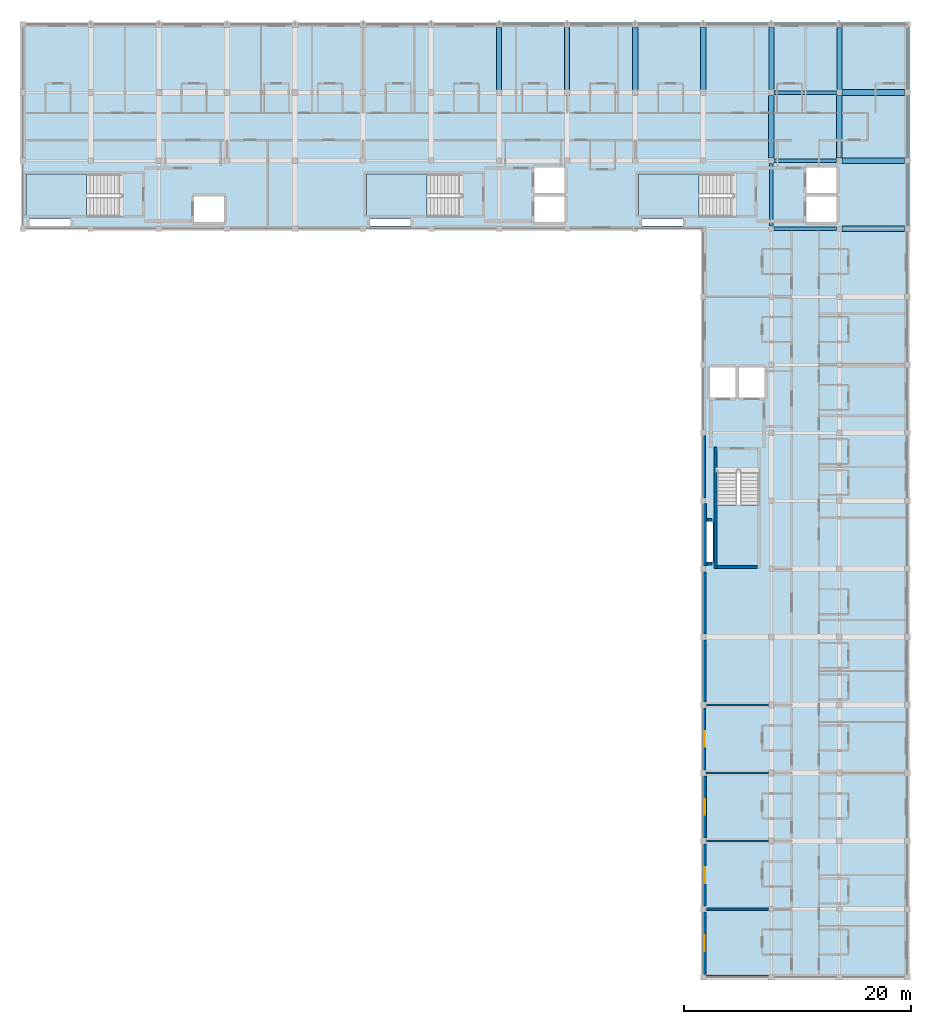
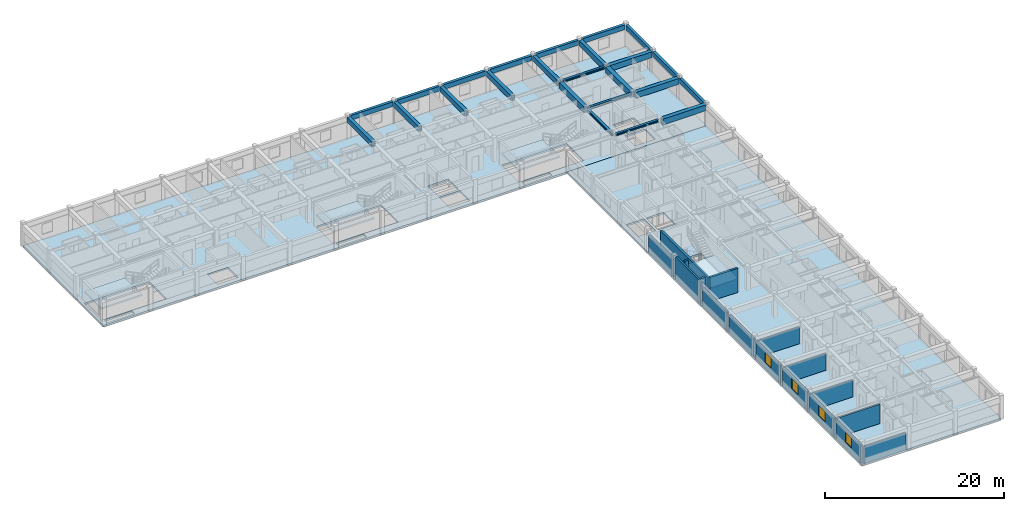
# One storey, part 2 of 15: 24 beams, 17 walls, 6 slabs, 4 windows, 4 openings, 4 elements without a shape of their own.
"""IFC4 building model written with IfcOpenShell, lengths in metres."""

from ifc_helpers import new_model, si_unit, direction, frame, frame_2d, origin, origin_2d, place, context, subcontext, project, spatial, polyline, rectangle, i_section, outline, extrude, material, layer, layer_set, material_profile, profile_set, type_object, element, fill, aggregate, save


model = new_model("IFC4")

# Units and contexts
model_context = context("Model", 3, precision=1e-05, world=origin(), true_north=direction((0.0, 1.0)))
body_context = subcontext(model_context, "Body", "Model", "MODEL_VIEW")
ifc_project = project(units=[si_unit("LENGTHUNIT", "METRE"), si_unit("AREAUNIT", "SQUARE_METRE"), si_unit("VOLUMEUNIT", "CUBIC_METRE"), si_unit("PLANEANGLEUNIT", "RADIAN"), si_unit("MASSUNIT", "GRAM", prefix="KILO"), si_unit("THERMODYNAMICTEMPERATUREUNIT", "KELVIN"), si_unit("POWERUNIT", "WATT")], contexts=[model_context])

# Site, building, storey
site_placement = place(None, origin())
site = spatial("IfcSite", under=ifc_project, at=site_placement, CompositionType="ELEMENT")
building_placement = place(site_placement, origin())
building = spatial("IfcBuilding", under=site, at=building_placement, Name="Phaisarnlok Congress Hotel", CompositionType="ELEMENT")
storey_placement = place(building_placement, frame((0.0, 0.0, 41.39990234375)))
storey = spatial("IfcBuildingStorey", under=building, at=storey_placement, Name="L10", CompositionType="ELEMENT", Elevation=41.39990234375)

# Beams
ifc_material_1 = material(Name="Concrete C40/50", Category="concrete")
ifc_material_profile_1 = material_profile(ifc_material_1, rectangle(XDim=0.449951171875, YDim=0.699951171875, at=origin_2d()), Name="RC 450x700")
ifc_profile_set_1 = profile_set([ifc_material_profile_1], Name="Concrete C40/50")
beam_type_1 = type_object("IfcBeamType", Name="BM-RC-450x700", PredefinedType="BEAM", material=ifc_profile_set_1)
for number, where, z_axis, x_axis, name in (
    (1, (144.0, 120.2451171875, 2.710205078125), (0.0, 1.0, 0.0), (-1.0, 0.0, 0.0), "Beam B-03"),
    (2, (150.0, 120.2451171875, 2.710205078125), (0.0, 1.0, 0.0), (-1.0, 0.0, 0.0), "Beam B-03"),
    (3, (156.0, 120.2451171875, 2.710205078125), (0.0, 1.0, 0.0), (-1.0, 0.0, 0.0), "Beam B-03"),
    (4, (162.0, 120.2451171875, 2.710205078125), (0.0, 1.0, 0.0), (-1.0, 0.0, 0.0), "Beam B-03"),
    (5, (168.0, 120.2451171875, 2.710205078125), (0.0, 1.0, 0.0), (-1.0, 0.0, 0.0), "Beam B-03"),
    (6, (174.0, 120.2451171875, 2.710205078125), (0.0, 1.0, 0.0), (-1.0, 0.0, 0.0), "Beam B-03"),
):
    element("IfcBeam", number, at=place(storey_placement, frame(where, z_axis=z_axis, x_axis=x_axis)), inside=storey, type_object=beam_type_1, Name=name, PredefinedType="BEAM", context=body_context, shape_type="SweptSolid", body=[
        extrude(rectangle(XDim=0.449951171875, YDim=0.699951171875, at=origin_2d()), origin(), (0.0, 0.0, 1.0), 5.509765625),
    ])
ifc_material_profile_2 = material_profile(ifc_material_1, rectangle(XDim=0.5, YDim=0.800048828125, at=origin_2d()), Name="RC 500x800")
ifc_profile_set_2 = profile_set([ifc_material_profile_2], Name="Concrete C40/50")
beam_type_2 = type_object("IfcBeamType", Name="BM-RC-500x800", PredefinedType="BEAM", material=ifc_profile_set_2)
for number, where, z_axis, x_axis, name in (
    (7, (168.0, 114.2451171875, 2.66015625), (0.0, 1.0, 0.0), (-1.0, 0.0, 0.0), "Beam B-04"),
    (8, (174.2451171875, 108.0, 2.66015625), (1.0, 0.0, 0.0), (0.0, 1.0, 0.0), "Beam B-04"),
    (9, (174.2451171875, 114.0, 2.66015625), (1.0, 0.0, 0.0), (0.0, 1.0, 0.0), "Beam B-04"),
    (10, (174.0, 114.2451171875, 2.66015625), (0.0, 1.0, 0.0), (-1.0, 0.0, 0.0), "Beam B-04"),
    (11, (174.2451171875, 120.0, 2.66015625), (1.0, 0.0, 0.0), (0.0, 1.0, 0.0), "Beam B-04"),
):
    element("IfcBeam", number, at=place(storey_placement, frame(where, z_axis=z_axis, x_axis=x_axis)), inside=storey, type_object=beam_type_2, Name=name, PredefinedType="BEAM", context=body_context, shape_type="SweptSolid", body=[
        extrude(rectangle(XDim=0.5, YDim=0.800048828125, at=origin_2d()), origin(), (0.0, 0.0, 1.0), 5.509765625),
    ])
ifc_material_2 = material(Name="Steel S355", Category="steel")
ifc_material_profile_3 = material_profile(ifc_material_2, i_section(OverallWidth=0.300048828125, OverallDepth=0.2900390625, WebThickness=0.008544921875, FlangeThickness=0.013916015625, FilletRadius=0.027099609375, at=origin_2d()), Name="HEA 300")
ifc_profile_set_3 = profile_set([ifc_material_profile_3], Name="Steel S355")
beam_type_3 = type_object("IfcBeamType", Name="BM-STL-HEA300", PredefinedType="BEAM", material=ifc_profile_set_3)
for number, where, z_axis, x_axis, name in (
    (12, (168.2451171875, 108.0, 2.9150390625), (1.0, 0.0, 0.0), (0.0, 1.0, 0.0), "Beam SB-05"),
    (13, (168.2451171875, 114.0, 2.9150390625), (1.0, 0.0, 0.0), (0.0, 1.0, 0.0), "Beam SB-05"),
    (14, (168.2451171875, 120.0, 2.9150390625), (1.0, 0.0, 0.0), (0.0, 1.0, 0.0), "Beam SB-05"),
):
    element("IfcBeam", number, at=place(storey_placement, frame(where, z_axis=z_axis, x_axis=x_axis)), inside=storey, type_object=beam_type_3, Name=name, PredefinedType="BEAM", context=body_context, shape_type="SweptSolid", body=[
        extrude(i_section(OverallWidth=0.300048828125, OverallDepth=0.2900390625, WebThickness=0.008544921875, FlangeThickness=0.013916015625, FilletRadius=0.027099609375, at=origin_2d()), origin(), (0.0, 0.0, 1.0), 5.509765625),
    ])
ifc_material_profile_4 = material_profile(ifc_material_2, i_section(OverallWidth=0.300048828125, OverallDepth=0.340087890625, WebThickness=0.011962890625, FlangeThickness=0.021484375, FilletRadius=0.027099609375, at=origin_2d()), Name="HEB 340")
ifc_profile_set_4 = profile_set([ifc_material_profile_4], Name="Steel S355")
beam_type_4 = type_object("IfcBeamType", Name="BM-STL-HEB340", PredefinedType="BEAM", material=ifc_profile_set_4)
beam_placement = place(storey_placement, frame((168.0, 108.2451171875, 2.89013671875), z_axis=(0.0, 1.0, 0.0), x_axis=(-1.0, 0.0, 0.0)))
element("IfcBeam", 15, at=beam_placement, inside=storey, type_object=beam_type_4, Name="Beam SB-07", PredefinedType="BEAM", context=body_context, shape_type="SweptSolid", body=[
    extrude(i_section(OverallWidth=0.300048828125, OverallDepth=0.340087890625, WebThickness=0.011962890625, FlangeThickness=0.021484375, FilletRadius=0.027099609375, at=origin_2d()), origin(), (0.0, 0.0, 1.0), 5.509765625),
])
ifc_material_profile_5 = material_profile(ifc_material_1, rectangle(XDim=0.35009765625, YDim=0.64990234375, at=origin_2d()), Name="RC 350x650")
ifc_profile_set_5 = profile_set([ifc_material_profile_5], Name="Concrete C40/50")
beam_type_5 = type_object("IfcBeamType", Name="SP-RC-350x650", PredefinedType="SPANDREL", material=ifc_profile_set_5)
for number, where, z_axis, x_axis, name in (
    (16, (144.2451171875, 126.0, 2.735107421875), (1.0, 0.0, 0.0), (0.0, 1.0, 0.0), "Beam SP-01"),
    (17, (150.2451171875, 126.0, 2.735107421875), (1.0, 0.0, 0.0), (0.0, 1.0, 0.0), "Beam SP-01"),
    (18, (156.2451171875, 126.0, 2.735107421875), (1.0, 0.0, 0.0), (0.0, 1.0, 0.0), "Beam SP-01"),
    (19, (162.2451171875, 126.0, 2.735107421875), (1.0, 0.0, 0.0), (0.0, 1.0, 0.0), "Beam SP-01"),
    (20, (168.2451171875, 126.0, 2.735107421875), (1.0, 0.0, 0.0), (0.0, 1.0, 0.0), "Beam SP-01"),
    (21, (174.2451171875, 126.0, 2.735107421875), (1.0, 0.0, 0.0), (0.0, 1.0, 0.0), "Beam SP-01"),
    (22, (180.0, 108.2451171875, 2.735107421875), (0.0, 1.0, 0.0), (-1.0, 0.0, 0.0), "Beam SP-01"),
    (23, (180.0, 114.2451171875, 2.735107421875), (0.0, 1.0, 0.0), (-1.0, 0.0, 0.0), "Beam SP-01"),
    (24, (180.0, 120.2451171875, 2.735107421875), (0.0, 1.0, 0.0), (-1.0, 0.0, 0.0), "Beam SP-01"),
):
    element("IfcBeam", number, at=place(storey_placement, frame(where, z_axis=z_axis, x_axis=x_axis)), inside=storey, type_object=beam_type_5, Name=name, PredefinedType="SPANDREL", context=body_context, shape_type="SweptSolid", body=[
        extrude(rectangle(XDim=0.35009765625, YDim=0.64990234375, at=origin_2d()), origin(), (0.0, 0.0, 1.0), 5.509765625),
    ])

# Slabs
ifc_layer_1 = layer(ifc_material_1, 0.239990234375, Name="Concrete C40/50")
ifc_layer_set_1 = layer_set([ifc_layer_1], Name="Concrete C40/50")
slab_type_1 = type_object("IfcSlabType", Name="SLB-INT-240", PredefinedType="FLOOR", material=ifc_layer_set_1)
slab_1_placement = place(storey_placement, frame((0.0, 0.0, -0.239990234375)))
element("IfcSlab", 25, at=slab_1_placement, inside=storey, type_object=slab_type_1, Name="Floor slab SL-INT-240 (L10 v5_n)", PredefinedType="FLOOR", context=body_context, shape_type="SweptSolid", body=[
    extrude(outline(polyline([(180.0, 108.0), (180.0, 126.0), (102.0, 126.0), (102.0, 108.0), (180.0, 108.0)]), holes=[polyline([(164.719970703125, 112.800048828125), (156.300048828125, 112.800048828125), (156.300048828125, 109.0), (164.719970703125, 109.0), (164.719970703125, 112.800048828125)]), polyline([(140.719970703125, 112.800048828125), (132.300048828125, 112.800048828125), (132.300048828125, 109.0), (140.719970703125, 109.0), (140.719970703125, 112.800048828125)]), polyline([(110.719970703125, 112.800048828125), (102.300048828125, 112.800048828125), (102.300048828125, 109.0), (110.719970703125, 109.0), (110.719970703125, 112.800048828125)]), polyline([(173.75, 108.60009765625), (173.75, 110.85009765625), (171.10009765625, 110.85009765625), (171.10009765625, 108.60009765625), (173.75, 108.60009765625)]), polyline([(173.75, 111.14990234375), (173.75, 113.39990234375), (171.10009765625, 113.39990234375), (171.10009765625, 111.14990234375), (173.75, 111.14990234375)]), polyline([(160.199951171875, 108.25), (160.199951171875, 108.85009765625), (156.60009765625, 108.85009765625), (156.60009765625, 108.25), (160.199951171875, 108.25)]), polyline([(149.75, 108.60009765625), (149.75, 110.85009765625), (147.10009765625, 110.85009765625), (147.10009765625, 108.60009765625), (149.75, 108.60009765625)]), polyline([(149.75, 111.14990234375), (149.75, 113.39990234375), (147.10009765625, 113.39990234375), (147.10009765625, 111.14990234375), (149.75, 111.14990234375)]), polyline([(136.199951171875, 108.25), (136.199951171875, 108.85009765625), (132.60009765625, 108.85009765625), (132.60009765625, 108.25), (136.199951171875, 108.25)]), polyline([(119.75, 108.60009765625), (119.75, 110.85009765625), (117.10009765625, 110.85009765625), (117.10009765625, 108.60009765625), (119.75, 108.60009765625)]), polyline([(106.199951171875, 108.25), (106.199951171875, 108.85009765625), (102.60009765625, 108.85009765625), (102.60009765625, 108.25), (106.199951171875, 108.25)])]), origin(), (0.0, 0.0, 1.0), 0.239990234375),
])
slab_2_placement = place(storey_placement, frame((0.0, 0.0, -0.239990234375)))
element("IfcSlab", 26, at=slab_2_placement, inside=storey, type_object=slab_type_1, Name="Floor slab SL-INT-240 (L10 v5_e)", PredefinedType="FLOOR", context=body_context, shape_type="SweptSolid", body=[
    extrude(outline(polyline([(180.0, 42.0), (180.0, 108.0), (162.0, 108.0), (162.0, 42.0), (180.0, 42.0)]), holes=[polyline([(163.199951171875, 86.719970703125), (163.199951171875, 78.300048828125), (167.0, 78.300048828125), (167.0, 86.719970703125), (163.199951171875, 86.719970703125)]), polyline([(164.85009765625, 93.10009765625), (164.85009765625, 95.75), (162.60009765625, 95.75), (162.60009765625, 93.10009765625), (164.85009765625, 93.10009765625)]), polyline([(167.39990234375, 93.10009765625), (167.39990234375, 95.75), (165.14990234375, 95.75), (165.14990234375, 93.10009765625), (167.39990234375, 93.10009765625)]), polyline([(162.85009765625, 78.60009765625), (162.85009765625, 82.199951171875), (162.25, 82.199951171875), (162.25, 78.60009765625), (162.85009765625, 78.60009765625)])]), origin(), (0.0, 0.0, 1.0), 0.239990234375),
])

# Stair, slab
stair_type = type_object("IfcStairType", Name="STR-DOG-05", PredefinedType="HALF_TURN_STAIR", material=ifc_material_1)
stair_1_placement = place(storey_placement, origin())
stair_1 = element("IfcStair", 27, at=stair_1_placement, inside=storey, type_object=stair_type, Name="L10 ST-05", PredefinedType="HALF_TURN_STAIR")
ifc_layer_2 = layer(ifc_material_1, 0.199951171875, Name="Concrete C40/50")
ifc_layer_set_2 = layer_set([ifc_layer_2], Name="Concrete C40/50")
slab_type_2 = type_object("IfcSlabType", Name="SLB-LND-200", PredefinedType="LANDING", material=ifc_layer_set_2)
slab_3_placement = place(storey_placement, frame((0.0, 0.0, 1.4501953125)))
slab_3 = element("IfcSlab", 28, at=slab_3_placement, type_object=slab_type_2, Name="ST-05 landing 1", PredefinedType="LANDING", context=body_context, shape_type="SweptSolid", body=[
    extrude(outline(polyline([(161.6201171875, 112.800048828125), (156.300048828125, 112.800048828125), (156.300048828125, 109.0), (161.6201171875, 109.0), (161.6201171875, 112.800048828125)])), origin(), (0.0, 0.0, 1.0), 0.199951171875),
])
aggregate(stair_1, [slab_3])

stair_2_placement = place(storey_placement, origin())
stair_2 = element("IfcStair", 29, at=stair_2_placement, inside=storey, type_object=stair_type, Name="L10 ST-06", PredefinedType="HALF_TURN_STAIR")
slab_4_placement = place(storey_placement, frame((0.0, 0.0, 1.4501953125)))
slab_4 = element("IfcSlab", 30, at=slab_4_placement, type_object=slab_type_2, Name="ST-06 landing 1", PredefinedType="LANDING", context=body_context, shape_type="SweptSolid", body=[
    extrude(outline(polyline([(137.6201171875, 112.800048828125), (132.300048828125, 112.800048828125), (132.300048828125, 109.0), (137.6201171875, 109.0), (137.6201171875, 112.800048828125)])), origin(), (0.0, 0.0, 1.0), 0.199951171875),
])
aggregate(stair_2, [slab_4])

stair_3_placement = place(storey_placement, origin())
stair_3 = element("IfcStair", 31, at=stair_3_placement, inside=storey, type_object=stair_type, Name="L10 ST-07", PredefinedType="HALF_TURN_STAIR")
slab_5_placement = place(storey_placement, frame((0.0, 0.0, 1.4501953125)))
slab_5 = element("IfcSlab", 32, at=slab_5_placement, type_object=slab_type_2, Name="ST-07 landing 1", PredefinedType="LANDING", context=body_context, shape_type="SweptSolid", body=[
    extrude(outline(polyline([(107.6201171875, 112.800048828125), (102.300048828125, 112.800048828125), (102.300048828125, 109.0), (107.6201171875, 109.0), (107.6201171875, 112.800048828125)])), origin(), (0.0, 0.0, 1.0), 0.199951171875),
])
aggregate(stair_3, [slab_5])

stair_4_placement = place(storey_placement, origin())
stair_4 = element("IfcStair", 33, at=stair_4_placement, inside=storey, type_object=stair_type, Name="L10 ST-09", PredefinedType="HALF_TURN_STAIR")
slab_6_placement = place(storey_placement, frame((0.0, 0.0, 1.4501953125)))
slab_6 = element("IfcSlab", 34, at=slab_6_placement, type_object=slab_type_2, Name="ST-09 landing 1", PredefinedType="LANDING", context=body_context, shape_type="SweptSolid", body=[
    extrude(outline(polyline([(163.199951171875, 83.6201171875), (163.199951171875, 78.300048828125), (167.0, 78.300048828125), (167.0, 83.6201171875), (163.199951171875, 83.6201171875)])), origin(), (0.0, 0.0, 1.0), 0.199951171875),
])
aggregate(stair_4, [slab_6])

# Wall
ifc_layer_3 = layer(ifc_material_1, 0.2099609375, Name="Concrete C40/50")
ifc_layer_set_3 = layer_set([ifc_layer_3], Name="Concrete C40/50")
wall_type_1 = type_object("IfcWallType", Name="WL-EXT-210", PredefinedType="SOLIDWALL", material=ifc_layer_set_3)
wall_1_placement = place(storey_placement, frame((162.10498046875, 89.7451171875, 0.0), z_axis=(0.0, 0.0, 1.0), x_axis=(0.0, -1.0, 0.0)))
element("IfcWall", 35, at=wall_1_placement, inside=storey, type_object=wall_type_1, Name="Exterior wall EW-07 (L10)", PredefinedType="SOLIDWALL", context=body_context, shape_type="SweptSolid", body=[
    extrude(rectangle(XDim=5.490234375, YDim=0.2099609375, at=frame_2d((2.7451171875, 0.0))), origin(), (0.0, 0.0, 1.0), 2.41015625),
])

# Wall, opening, window
wall_2_placement = place(storey_placement, frame((162.10498046875, 65.7451171875, 0.0), z_axis=(0.0, 0.0, 1.0), x_axis=(0.0, -1.0, 0.0)))
wall_2 = element("IfcWall", 36, at=wall_2_placement, inside=storey, type_object=wall_type_1, Name="Exterior wall EW-07 (L10)", PredefinedType="SOLIDWALL", context=body_context, shape_type="SweptSolid", body=[
    extrude(rectangle(XDim=5.490234375, YDim=0.2099609375, at=frame_2d((2.7451171875, 0.0))), origin(), (0.0, 0.0, 1.0), 2.445068359375),
])
opening_1_placement = place(wall_2_placement, frame((2.044921875, 0.0, 0.800048828125)))
opening_1 = element("IfcOpeningElement", 37, at=opening_1_placement, cuts=wall_2, Name="Opening W-13", PredefinedType="OPENING", context=body_context, shape_type="SweptSolid", body=[
    extrude(rectangle(XDim=1.39990234375, YDim=1.39990234375, at=frame_2d((0.699951171875, 0.699951171875))), frame((0.0, 0.114990234375, 0.0), z_axis=(0.0, -1.0, 0.0), x_axis=(1.0, 0.0, 0.0)), (0.0, 0.0, 1.0), 0.22998046875),
])
ifc_material_3 = material(Name="Thermally Broken Aluminium & Low-E Double Glazing", Category="aluminium")
window_type = type_object("IfcWindowType", Name="WIN-POD-1400", PartitioningType="SINGLE_PANEL", PredefinedType="WINDOW", material=ifc_material_3)
window_1_placement = place(opening_1_placement, origin())
window_1 = element("IfcWindow", 38, at=window_1_placement, inside=storey, type_object=window_type, Name="Guestroom window W-13 (L10)", OverallHeight=1.39990234375, OverallWidth=1.39990234375, PartitioningType="SINGLE_PANEL", PredefinedType="WINDOW", context=body_context, shape_type="SweptSolid", body=[
    extrude(rectangle(XDim=1.39990234375, YDim=1.39990234375, at=frame_2d((0.699951171875, 0.699951171875))), frame((0.0, 0.030029296875, 0.0), z_axis=(0.0, -1.0, 0.0), x_axis=(1.0, 0.0, 0.0)), (0.0, 0.0, 1.0), 0.06005859375),
])
fill(opening_1, window_1)

# Walls
wall_3_placement = place(storey_placement, frame((162.2548828125, 42.10498046875, 0.0), z_axis=(0.0, 0.0, 1.0), x_axis=(1.0, 0.0, 0.0)))
element("IfcWall", 39, at=wall_3_placement, inside=storey, type_object=wall_type_1, Name="Exterior wall EW-07 (L10)", PredefinedType="SOLIDWALL", context=body_context, shape_type="SweptSolid", body=[
    extrude(rectangle(XDim=5.490234375, YDim=0.2099609375, at=frame_2d((2.7451171875, 0.0))), origin(), (0.0, 0.0, 1.0), 2.295166015625),
])
ifc_layer_4 = layer(ifc_material_1, 0.22998046875, Name="Concrete C40/50")
ifc_layer_set_4 = layer_set([ifc_layer_4], Name="Concrete C40/50")
wall_type_2 = type_object("IfcWallType", Name="WL-EXT-230", PredefinedType="SOLIDWALL", material=ifc_layer_set_4)
wall_4_placement = place(storey_placement, frame((162.114990234375, 71.7451171875, 0.0), z_axis=(0.0, 0.0, 1.0), x_axis=(0.0, -1.0, 0.0)))
element("IfcWall", 40, at=wall_4_placement, inside=storey, type_object=wall_type_2, Name="Exterior wall EW-06 (L10)", PredefinedType="SOLIDWALL", context=body_context, shape_type="SweptSolid", body=[
    extrude(rectangle(XDim=5.490234375, YDim=0.22998046875, at=frame_2d((2.7451171875, 0.0))), origin(), (0.0, 0.0, 1.0), 2.41015625),
])

# Wall, opening, window
wall_5_placement = place(storey_placement, frame((162.114990234375, 47.7451171875, 0.0), z_axis=(0.0, 0.0, 1.0), x_axis=(0.0, -1.0, 0.0)))
wall_5 = element("IfcWall", 41, at=wall_5_placement, inside=storey, type_object=wall_type_2, Name="Exterior wall EW-06 (L10)", PredefinedType="SOLIDWALL", context=body_context, shape_type="SweptSolid", body=[
    extrude(rectangle(XDim=5.490234375, YDim=0.22998046875, at=frame_2d((2.7451171875, 0.0))), origin(), (0.0, 0.0, 1.0), 2.445068359375),
])
opening_2_placement = place(wall_5_placement, frame((2.044921875, 0.0, 0.800048828125)))
opening_2 = element("IfcOpeningElement", 42, at=opening_2_placement, cuts=wall_5, Name="Opening W-13", PredefinedType="OPENING", context=body_context, shape_type="SweptSolid", body=[
    extrude(rectangle(XDim=1.39990234375, YDim=1.39990234375, at=frame_2d((0.699951171875, 0.699951171875))), frame((0.0, 0.125, 0.0), z_axis=(0.0, -1.0, 0.0), x_axis=(1.0, 0.0, 0.0)), (0.0, 0.0, 1.0), 0.25),
])
window_2_placement = place(opening_2_placement, origin())
window_2 = element("IfcWindow", 43, at=window_2_placement, inside=storey, type_object=window_type, Name="Guestroom window W-13 (L10)", OverallHeight=1.39990234375, OverallWidth=1.39990234375, PartitioningType="SINGLE_PANEL", PredefinedType="WINDOW", context=body_context, shape_type="SweptSolid", body=[
    extrude(rectangle(XDim=1.39990234375, YDim=1.39990234375, at=frame_2d((0.699951171875, 0.699951171875))), frame((0.0, 0.030029296875, 0.0), z_axis=(0.0, -1.0, 0.0), x_axis=(1.0, 0.0, 0.0)), (0.0, 0.0, 1.0), 0.06005859375),
])
fill(opening_2, window_2)

# Wall
ifc_layer_5 = layer(ifc_material_1, 0.25, Name="Concrete C40/50")
ifc_layer_set_5 = layer_set([ifc_layer_5], Name="Concrete C40/50")
wall_type_3 = type_object("IfcWallType", Name="WL-EXT-250", PredefinedType="SOLIDWALL", material=ifc_layer_set_5)
wall_6_placement = place(storey_placement, frame((162.125, 77.7451171875, 0.0), z_axis=(0.0, 0.0, 1.0), x_axis=(0.0, -1.0, 0.0)))
element("IfcWall", 44, at=wall_6_placement, inside=storey, type_object=wall_type_3, Name="Exterior wall EW-05 (L10)", PredefinedType="SOLIDWALL", context=body_context, shape_type="SweptSolid", body=[
    extrude(rectangle(XDim=5.490234375, YDim=0.25, at=frame_2d((2.7451171875, 0.0))), origin(), (0.0, 0.0, 1.0), 2.41015625),
])

# Wall, opening, window
wall_7_placement = place(storey_placement, frame((162.125, 53.7451171875, 0.0), z_axis=(0.0, 0.0, 1.0), x_axis=(0.0, -1.0, 0.0)))
wall_7 = element("IfcWall", 45, at=wall_7_placement, inside=storey, type_object=wall_type_3, Name="Exterior wall EW-05 (L10)", PredefinedType="SOLIDWALL", context=body_context, shape_type="SweptSolid", body=[
    extrude(rectangle(XDim=5.490234375, YDim=0.25, at=frame_2d((2.7451171875, 0.0))), origin(), (0.0, 0.0, 1.0), 2.445068359375),
])
opening_3_placement = place(wall_7_placement, frame((2.044921875, 0.0, 0.800048828125)))
opening_3 = element("IfcOpeningElement", 46, at=opening_3_placement, cuts=wall_7, Name="Opening W-13", PredefinedType="OPENING", context=body_context, shape_type="SweptSolid", body=[
    extrude(rectangle(XDim=1.39990234375, YDim=1.39990234375, at=frame_2d((0.699951171875, 0.699951171875))), frame((0.0, 0.135009765625, 0.0), z_axis=(0.0, -1.0, 0.0), x_axis=(1.0, 0.0, 0.0)), (0.0, 0.0, 1.0), 0.27001953125),
])
window_3_placement = place(opening_3_placement, origin())
window_3 = element("IfcWindow", 47, at=window_3_placement, inside=storey, type_object=window_type, Name="Guestroom window W-13 (L10)", OverallHeight=1.39990234375, OverallWidth=1.39990234375, PartitioningType="SINGLE_PANEL", PredefinedType="WINDOW", context=body_context, shape_type="SweptSolid", body=[
    extrude(rectangle(XDim=1.39990234375, YDim=1.39990234375, at=frame_2d((0.699951171875, 0.699951171875))), frame((0.0, 0.030029296875, 0.0), z_axis=(0.0, -1.0, 0.0), x_axis=(1.0, 0.0, 0.0)), (0.0, 0.0, 1.0), 0.06005859375),
])
fill(opening_3, window_3)

# Wall
ifc_layer_6 = layer(ifc_material_1, 0.27001953125, Name="Concrete C40/50")
ifc_layer_set_6 = layer_set([ifc_layer_6], Name="Concrete C40/50")
wall_type_4 = type_object("IfcWallType", Name="WL-EXT-270", PredefinedType="SOLIDWALL", material=ifc_layer_set_6)
wall_8_placement = place(storey_placement, frame((162.135009765625, 83.7451171875, 0.0), z_axis=(0.0, 0.0, 1.0), x_axis=(0.0, -1.0, 0.0)))
element("IfcWall", 48, at=wall_8_placement, inside=storey, type_object=wall_type_4, Name="Exterior wall EW-04 (L10)", PredefinedType="SOLIDWALL", context=body_context, shape_type="SweptSolid", body=[
    extrude(rectangle(XDim=5.490234375, YDim=0.27001953125, at=frame_2d((2.7451171875, 0.0))), origin(), (0.0, 0.0, 1.0), 3.06005859375),
])

# Wall, opening, window
wall_9_placement = place(storey_placement, frame((162.135009765625, 59.7451171875, 0.0), z_axis=(0.0, 0.0, 1.0), x_axis=(0.0, -1.0, 0.0)))
wall_9 = element("IfcWall", 49, at=wall_9_placement, inside=storey, type_object=wall_type_4, Name="Exterior wall EW-04 (L10)", PredefinedType="SOLIDWALL", context=body_context, shape_type="SweptSolid", body=[
    extrude(rectangle(XDim=5.490234375, YDim=0.27001953125, at=frame_2d((2.7451171875, 0.0))), origin(), (0.0, 0.0, 1.0), 2.445068359375),
])
opening_4_placement = place(wall_9_placement, frame((2.044921875, 0.0, 0.800048828125)))
opening_4 = element("IfcOpeningElement", 50, at=opening_4_placement, cuts=wall_9, Name="Opening W-13", PredefinedType="OPENING", context=body_context, shape_type="SweptSolid", body=[
    extrude(rectangle(XDim=1.39990234375, YDim=1.39990234375, at=frame_2d((0.699951171875, 0.699951171875))), frame((0.0, 0.14501953125, 0.0), z_axis=(0.0, -1.0, 0.0), x_axis=(1.0, 0.0, 0.0)), (0.0, 0.0, 1.0), 0.2900390625),
])
window_4_placement = place(opening_4_placement, origin())
window_4 = element("IfcWindow", 51, at=window_4_placement, inside=storey, type_object=window_type, Name="Guestroom window W-13 (L10)", OverallHeight=1.39990234375, OverallWidth=1.39990234375, PartitioningType="SINGLE_PANEL", PredefinedType="WINDOW", context=body_context, shape_type="SweptSolid", body=[
    extrude(rectangle(XDim=1.39990234375, YDim=1.39990234375, at=frame_2d((0.699951171875, 0.699951171875))), frame((0.0, 0.030029296875, 0.0), z_axis=(0.0, -1.0, 0.0), x_axis=(1.0, 0.0, 0.0)), (0.0, 0.0, 1.0), 0.06005859375),
])
fill(opening_4, window_4)

# Walls
ifc_material_4 = material(Name="Double-Stud Acoustic Gypsum Partition", Category="gypsum")
ifc_layer_7 = layer(ifc_material_4, 0.159912109375, Name="Double-Stud Acoustic Gypsum Partition")
ifc_layer_set_7 = layer_set([ifc_layer_7], Name="Double-Stud Acoustic Gypsum Partition")
wall_type_5 = type_object("IfcWallType", Name="WL-INT-160", PredefinedType="PARTITIONING", material=ifc_layer_set_7)
wall_10_placement = place(storey_placement, frame((162.280029296875, 60.0, 0.0), z_axis=(0.0, 0.0, 1.0), x_axis=(1.0, 0.0, 0.0)))
element("IfcWall", 52, at=wall_10_placement, inside=storey, type_object=wall_type_5, Name="Interior partition wall IW-04 (L10)", PredefinedType="PARTITIONING", context=body_context, shape_type="SweptSolid", body=[
    extrude(rectangle(XDim=5.465087890625, YDim=0.159912109375, at=frame_2d((2.732421875, 0.0))), origin(), (0.0, 0.0, 1.0), 2.295166015625),
])
ifc_material_5 = material(Name="Autoclaved Aerated Concrete Block", Category="concrete")
ifc_layer_8 = layer(ifc_material_5, 0.179931640625, Name="Autoclaved Aerated Concrete Block")
ifc_layer_set_8 = layer_set([ifc_layer_8], Name="Autoclaved Aerated Concrete Block")
wall_type_6 = type_object("IfcWallType", Name="WL-INT-180", PredefinedType="PARTITIONING", material=ifc_layer_set_8)
wall_11_placement = place(storey_placement, frame((162.280029296875, 54.0, 0.0), z_axis=(0.0, 0.0, 1.0), x_axis=(1.0, 0.0, 0.0)))
element("IfcWall", 53, at=wall_11_placement, inside=storey, type_object=wall_type_6, Name="Interior partition wall IW-03 (L10)", PredefinedType="PARTITIONING", context=body_context, shape_type="SweptSolid", body=[
    extrude(rectangle(XDim=5.465087890625, YDim=0.179931640625, at=frame_2d((2.732421875, 0.0))), origin(), (0.0, 0.0, 1.0), 2.295166015625),
])
wall_12_placement = place(storey_placement, frame((162.280029296875, 66.0, 0.0), z_axis=(0.0, 0.0, 1.0), x_axis=(1.0, 0.0, 0.0)))
element("IfcWall", 54, at=wall_12_placement, inside=storey, type_object=wall_type_6, Name="Interior partition wall IW-03 (L10)", PredefinedType="PARTITIONING", context=body_context, shape_type="SweptSolid", body=[
    extrude(rectangle(XDim=5.465087890625, YDim=0.179931640625, at=frame_2d((2.732421875, 0.0))), origin(), (0.0, 0.0, 1.0), 2.260009765625),
])
ifc_layer_9 = layer(ifc_material_5, 0.199951171875, Name="Autoclaved Aerated Concrete Block")
ifc_layer_set_9 = layer_set([ifc_layer_9], Name="Autoclaved Aerated Concrete Block")
wall_type_7 = type_object("IfcWallType", Name="WL-INT-200", PredefinedType="PARTITIONING", material=ifc_layer_set_9)
wall_13_placement = place(storey_placement, frame((162.280029296875, 48.0, 0.0), z_axis=(0.0, 0.0, 1.0), x_axis=(1.0, 0.0, 0.0)))
element("IfcWall", 55, at=wall_13_placement, inside=storey, type_object=wall_type_7, Name="Interior partition wall IW-02 (L10)", PredefinedType="PARTITIONING", context=body_context, shape_type="SweptSolid", body=[
    extrude(rectangle(XDim=5.465087890625, YDim=0.199951171875, at=frame_2d((2.732421875, 0.0))), origin(), (0.0, 0.0, 1.0), 2.64501953125),
])
ifc_material_6 = material(Name="Concrete C50/60", Category="concrete")
ifc_layer_10 = layer(ifc_material_6, 0.260009765625, Name="Concrete C50/60")
ifc_layer_set_10 = layer_set([ifc_layer_10], Name="Concrete C50/60")
wall_type_8 = type_object("IfcWallType", Name="WL-SHR-260", PredefinedType="SHEAR", material=ifc_layer_set_10)
wall_14_placement = place(storey_placement, frame((163.070068359375, 78.0400390625, 0.0), z_axis=(0.0, 0.0, 1.0), x_axis=(0.0, 1.0, 0.0)))
element("IfcWall", 56, at=wall_14_placement, inside=storey, type_object=wall_type_8, Name="Stair shaft shear wall SW-04 (CORE-3 L10)", PredefinedType="SHEAR", context=body_context, shape_type="SweptSolid", body=[
    extrude(rectangle(XDim=10.719970703125, YDim=0.260009765625, at=frame_2d((5.35986328125, 0.0))), origin(), (0.0, 0.0, 1.0), 3.300048828125),
])
wall_15_placement = place(storey_placement, frame((163.199951171875, 78.169921875, 0.0), z_axis=(0.0, 0.0, 1.0), x_axis=(1.0, 0.0, 0.0)))
element("IfcWall", 57, at=wall_15_placement, inside=storey, type_object=wall_type_8, Name="Stair shaft shear wall SW-04 (CORE-3 L10)", PredefinedType="SHEAR", context=body_context, shape_type="SweptSolid", body=[
    extrude(rectangle(XDim=3.60009765625, YDim=0.260009765625, at=frame_2d((1.800048828125, 0.0))), origin(), (0.0, 0.0, 1.0), 3.300048828125),
])
for number, where, z_axis, x_axis, name in (
    (58, (162.330078125, 78.469970703125, 0.0), (0.0, 0.0, 1.0), (1.0, 0.0, 0.0), "Service riser shaft wall SW-04 (CORE-3 L10)"),
    (59, (162.330078125, 82.330078125, 0.0), (0.0, 0.0, 1.0), (1.0, 0.0, 0.0), "Service riser shaft wall SW-04 (CORE-3 L10)"),
):
    element("IfcWall", number, at=place(storey_placement, frame(where, z_axis=z_axis, x_axis=x_axis)), inside=storey, type_object=wall_type_8, Name=name, PredefinedType="SHEAR", context=body_context, shape_type="SweptSolid", body=[
        extrude(rectangle(XDim=0.43994140625, YDim=0.260009765625, at=frame_2d((0.219970703125, 0.0))), origin(), (0.0, 0.0, 1.0), 3.300048828125),
    ])

save(model, "model.ifc")
